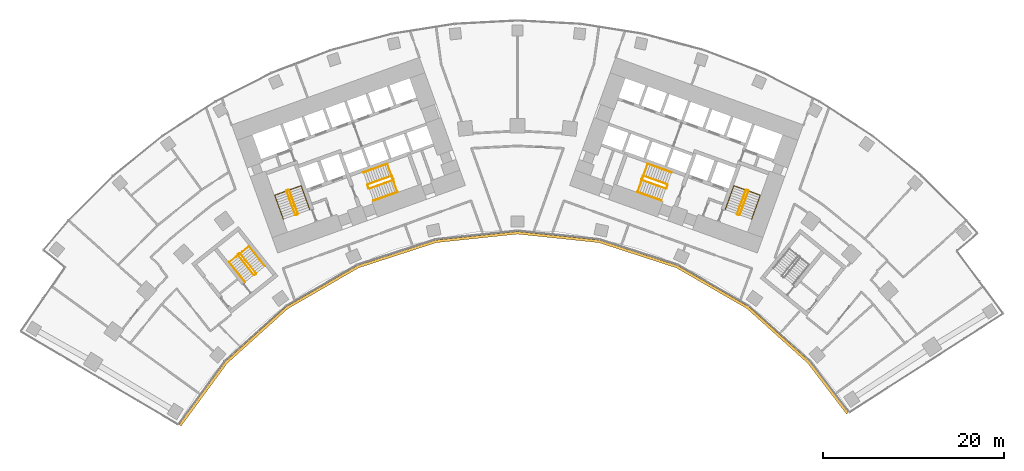
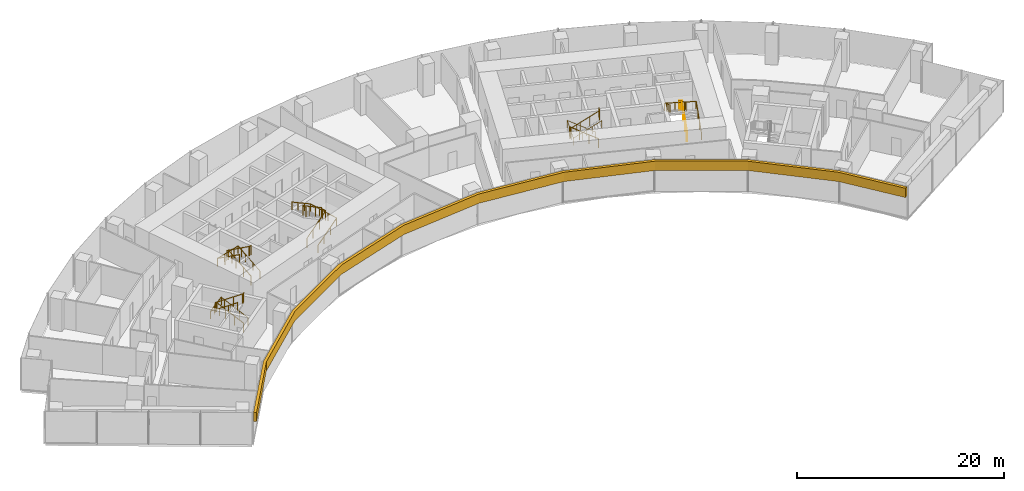
# One storey, part 20 of 21: 15 railings, 1 covering.
"""IFC4 building model written with IfcOpenShell, lengths in metres."""

from ifc_helpers import new_model, si_unit, direction, frame, origin, origin_2d, place, context, subcontext, project, spatial, polyline, circle, outline, extrude, material, layer, layer_set, type_object, element, save


model = new_model("IFC4")

# Units and contexts
model_context = context("Model", 3, precision=1e-05, world=origin(), true_north=direction((0.0, 1.0)))
body_context = subcontext(model_context, "Body", "Model", "MODEL_VIEW")
ifc_project = project(units=[si_unit("LENGTHUNIT", "METRE"), si_unit("AREAUNIT", "SQUARE_METRE"), si_unit("VOLUMEUNIT", "CUBIC_METRE"), si_unit("PLANEANGLEUNIT", "RADIAN"), si_unit("MASSUNIT", "GRAM", prefix="KILO")], contexts=[model_context])

# Site, building, storey
site_placement = place(None, origin())
site = spatial("IfcSite", under=ifc_project, at=site_placement, CompositionType="ELEMENT")
building_placement = place(site_placement, origin())
building = spatial("IfcBuilding", under=site, at=building_placement, Name="Stone Belt Terrace Tower", CompositionType="ELEMENT")
storey_placement = place(building_placement, frame((0.0, 0.0, 49.0)))
storey = spatial("IfcBuildingStorey", under=building, at=storey_placement, Name="L11", CompositionType="ELEMENT", Elevation=49.0)

# Railings
ifc_material_1 = material(Name="Structural steel C345", Category="steel")
railing_type_1 = type_object("IfcRailingType", Name="Stair guard 1100", PredefinedType="GUARDRAIL", material=ifc_material_1)
railing_1_placement = place(storey_placement, frame((-24.2119140625, 45.276123046875, 0.172607421875)))
element("IfcRailing", 1, at=railing_1_placement, inside=storey, type_object=railing_type_1, Name="L11 ST1A stair guard 1", PredefinedType="GUARDRAIL", context=body_context, shape_type="SweptSolid", body=[
    extrude(circle(Radius=0.02392578125, at=origin_2d()), frame((0.0, 0.0, 1.076171875), z_axis=(-0.288228637646, 0.800791768495, 0.525030280985), x_axis=(-0.940908529223, -0.338660803216, 0.0)), (0.0, 0.0, 1.0), 3.289794921875),
    extrude(circle(Radius=0.02392578125, at=origin_2d()), frame((-0.9482421875, 2.634521484375, 2.80322265625), z_axis=(-0.905209821074, 0.424964916, 0.0), x_axis=(-0.424964916, -0.905209821074, 0.0)), (0.0, 0.0, 1.0), 0.070556640625),
    extrude(circle(Radius=0.02392578125, at=origin_2d()), frame((-1.01220703125, 2.66455078125, 2.80322265625), z_axis=(-0.941105063269, -0.338114270461, 0.0), x_axis=(0.338114270461, -0.941105063269, 0.0)), (0.0, 0.0, 1.0), 0.199951171875),
    extrude(circle(Radius=0.02099609375, at=origin_2d()), origin(), (0.0, 0.0, 1.0), 1.052001953125),
    extrude(circle(Radius=0.02099609375, at=origin_2d()), frame((-0.316162109375, 0.878173828125, 0.57568359375)), (0.0, 0.0, 1.0), 1.052001953125),
    extrude(circle(Radius=0.02099609375, at=origin_2d()), frame((-0.632080078125, 1.75634765625, 1.151611328125)), (0.0, 0.0, 1.0), 1.052001953125),
    extrude(circle(Radius=0.02099609375, at=origin_2d()), frame((-0.9482421875, 2.634521484375, 1.727294921875)), (0.0, 0.0, 1.0), 1.052001953125),
    extrude(circle(Radius=0.02099609375, at=origin_2d()), frame((-1.01220703125, 2.66455078125, 1.727294921875)), (0.0, 0.0, 1.0), 1.052001953125),
    extrude(circle(Radius=0.02099609375, at=origin_2d()), frame((-1.200439453125, 2.596923828125, 1.727294921875)), (0.0, 0.0, 1.0), 1.052001953125),
])
railing_2_placement = place(storey_placement, frame((-25.4423828125, 47.80908203125, 2.07275390625)))
element("IfcRailing", 2, at=railing_2_placement, inside=storey, type_object=railing_type_1, Name="L11 ST1A stair guard 2", PredefinedType="GUARDRAIL", context=body_context, shape_type="SweptSolid", body=[
    extrude(circle(Radius=0.02392578125, at=origin_2d()), frame((0.0, 0.0, 1.076171875), z_axis=(0.288228637646, -0.800791768495, 0.525030280985), x_axis=(0.940908529223, 0.338660803216, 0.0)), (0.0, 0.0, 1.0), 3.289794921875),
    extrude(circle(Radius=0.02392578125, at=origin_2d()), frame((0.9482421875, -2.634521484375, 2.80322265625), z_axis=(0.903878284585, -0.427789722475, 0.0), x_axis=(0.427789722475, 0.903878284585, 0.0)), (0.0, 0.0, 1.0), 0.07080078125),
    extrude(circle(Radius=0.02392578125, at=origin_2d()), frame((1.01220703125, -2.664794921875, 2.80322265625), z_axis=(0.940575576748, 0.339584429008, 0.0), x_axis=(-0.339584429008, 0.940575576748, 0.0)), (0.0, 0.0, 1.0), 0.199951171875),
    extrude(circle(Radius=0.02099609375, at=origin_2d()), origin(), (0.0, 0.0, 1.0), 1.052001953125),
    extrude(circle(Radius=0.02099609375, at=origin_2d()), frame((0.316162109375, -0.878173828125, 0.57568359375)), (0.0, 0.0, 1.0), 1.052001953125),
    extrude(circle(Radius=0.02099609375, at=origin_2d()), frame((0.632080078125, -1.75634765625, 1.151611328125)), (0.0, 0.0, 1.0), 1.052001953125),
    extrude(circle(Radius=0.02099609375, at=origin_2d()), frame((0.9482421875, -2.634521484375, 1.727294921875)), (0.0, 0.0, 1.0), 1.052001953125),
    extrude(circle(Radius=0.02099609375, at=origin_2d()), frame((1.01220703125, -2.664794921875, 1.727294921875)), (0.0, 0.0, 1.0), 1.052001953125),
    extrude(circle(Radius=0.02099609375, at=origin_2d()), frame((1.2001953125, -2.596923828125, 1.727294921875)), (0.0, 0.0, 1.0), 1.052001953125),
])
railing_3_placement = place(storey_placement, frame((-16.33837890625, 48.056640625, 0.172607421875)))
element("IfcRailing", 3, at=railing_3_placement, inside=storey, type_object=railing_type_1, Name="L11 ST2A stair guard 1", PredefinedType="GUARDRAIL", context=body_context, shape_type="SweptSolid", body=[
    extrude(circle(Radius=0.02392578125, at=origin_2d()), frame((0.0, 0.0, 1.076171875), z_axis=(0.800808895155, 0.288160591223, 0.52504150989), x_axis=(-0.338583606334, 0.940936311087, 0.0)), (0.0, 0.0, 1.0), 3.289794921875),
    extrude(circle(Radius=0.02392578125, at=origin_2d()), frame((2.634521484375, 0.947998046875, 2.80322265625), z_axis=(0.427789722475, 0.903878284585, 0.0), x_axis=(-0.903878284585, 0.427789722475, 0.0)), (0.0, 0.0, 1.0), 0.07080078125),
    extrude(circle(Radius=0.02392578125, at=origin_2d()), frame((2.664794921875, 1.011962890625, 2.80322265625), z_axis=(-0.338654645739, 0.940910745459, 0.0), x_axis=(-0.940910745459, -0.338654645739, 0.0)), (0.0, 0.0, 1.0), 0.400146484375),
    extrude(circle(Radius=0.02099609375, at=origin_2d()), origin(), (0.0, 0.0, 1.0), 1.052001953125),
    extrude(circle(Radius=0.02099609375, at=origin_2d()), frame((0.878173828125, 0.31591796875, 0.57568359375)), (0.0, 0.0, 1.0), 1.052001953125),
    extrude(circle(Radius=0.02099609375, at=origin_2d()), frame((1.75634765625, 0.632080078125, 1.151611328125)), (0.0, 0.0, 1.0), 1.052001953125),
    extrude(circle(Radius=0.02099609375, at=origin_2d()), frame((2.634521484375, 0.947998046875, 1.727294921875)), (0.0, 0.0, 1.0), 1.052001953125),
    extrude(circle(Radius=0.02099609375, at=origin_2d()), frame((2.664794921875, 1.011962890625, 1.727294921875)), (0.0, 0.0, 1.0), 1.052001953125),
    extrude(circle(Radius=0.02099609375, at=origin_2d()), frame((2.529296875, 1.388427734375, 1.727294921875)), (0.0, 0.0, 1.0), 1.052001953125),
])
railing_4_placement = place(storey_placement, frame((-13.873046875, 49.47509765625, 2.07275390625)))
element("IfcRailing", 4, at=railing_4_placement, inside=storey, type_object=railing_type_1, Name="L11 ST2A stair guard 2", PredefinedType="GUARDRAIL", context=body_context, shape_type="SweptSolid", body=[
    extrude(circle(Radius=0.02392578125, at=origin_2d()), frame((0.0, 0.0, 1.076171875), z_axis=(-0.800808895155, -0.288160591223, 0.52504150989), x_axis=(0.338583606334, -0.940936311087, 0.0)), (0.0, 0.0, 1.0), 3.289794921875),
    extrude(circle(Radius=0.02392578125, at=origin_2d()), frame((-2.634521484375, -0.947998046875, 2.80322265625), z_axis=(-0.427789722475, -0.903878284585, 0.0), x_axis=(0.903878284585, -0.427789722475, 0.0)), (0.0, 0.0, 1.0), 0.07080078125),
    extrude(circle(Radius=0.02392578125, at=origin_2d()), frame((-2.664794921875, -1.011962890625, 2.80322265625), z_axis=(0.338654645739, -0.940910745459, 0.0), x_axis=(0.940910745459, 0.338654645739, 0.0)), (0.0, 0.0, 1.0), 0.400146484375),
    extrude(circle(Radius=0.02099609375, at=origin_2d()), origin(), (0.0, 0.0, 1.0), 1.052001953125),
    extrude(circle(Radius=0.02099609375, at=origin_2d()), frame((-0.878173828125, -0.31591796875, 0.57568359375)), (0.0, 0.0, 1.0), 1.052001953125),
    extrude(circle(Radius=0.02099609375, at=origin_2d()), frame((-1.75634765625, -0.632080078125, 1.151611328125)), (0.0, 0.0, 1.0), 1.052001953125),
    extrude(circle(Radius=0.02099609375, at=origin_2d()), frame((-2.634521484375, -0.947998046875, 1.727294921875)), (0.0, 0.0, 1.0), 1.052001953125),
    extrude(circle(Radius=0.02099609375, at=origin_2d()), frame((-2.664794921875, -1.011962890625, 1.727294921875)), (0.0, 0.0, 1.0), 1.052001953125),
    extrude(circle(Radius=0.02099609375, at=origin_2d()), frame((-2.529296875, -1.388427734375, 1.727294921875)), (0.0, 0.0, 1.0), 1.052001953125),
])
railing_5_placement = place(storey_placement, frame((24.494140625, 45.174560546875, 0.172607421875)))
element("IfcRailing", 5, at=railing_5_placement, inside=storey, type_object=railing_type_1, Name="L11 ST1B stair guard 1", PredefinedType="GUARDRAIL", context=body_context, shape_type="SweptSolid", body=[
    extrude(circle(Radius=0.02392578125, at=origin_2d()), frame((0.0, 0.0, 1.076171875), z_axis=(0.288228637646, 0.800791768495, 0.525030280985), x_axis=(-0.940908529223, 0.338660803216, 0.0)), (0.0, 0.0, 1.0), 3.289794921875),
    extrude(circle(Radius=0.02392578125, at=origin_2d()), frame((0.9482421875, 2.634521484375, 2.80322265625), z_axis=(-0.424964916, 0.905209821074, 0.0), x_axis=(-0.905209821074, -0.424964916, 0.0)), (0.0, 0.0, 1.0), 0.070556640625),
    extrude(circle(Radius=0.02392578125, at=origin_2d()), frame((0.918212890625, 2.698486328125, 2.80322265625), z_axis=(-0.941105063269, 0.338114270461, 0.0), x_axis=(-0.338114270461, -0.941105063269, 0.0)), (0.0, 0.0, 1.0), 0.199951171875),
    extrude(circle(Radius=0.02099609375, at=origin_2d()), origin(), (0.0, 0.0, 1.0), 1.052001953125),
    extrude(circle(Radius=0.02099609375, at=origin_2d()), frame((0.316162109375, 0.878173828125, 0.57568359375)), (0.0, 0.0, 1.0), 1.052001953125),
    extrude(circle(Radius=0.02099609375, at=origin_2d()), frame((0.632080078125, 1.75634765625, 1.151611328125)), (0.0, 0.0, 1.0), 1.052001953125),
    extrude(circle(Radius=0.02099609375, at=origin_2d()), frame((0.9482421875, 2.634521484375, 1.727294921875)), (0.0, 0.0, 1.0), 1.052001953125),
    extrude(circle(Radius=0.02099609375, at=origin_2d()), frame((0.918212890625, 2.698486328125, 1.727294921875)), (0.0, 0.0, 1.0), 1.052001953125),
    extrude(circle(Radius=0.02099609375, at=origin_2d()), frame((0.72998046875, 2.76611328125, 1.727294921875)), (0.0, 0.0, 1.0), 1.052001953125),
])
railing_6_placement = place(storey_placement, frame((25.16015625, 47.91064453125, 2.07275390625)))
element("IfcRailing", 6, at=railing_6_placement, inside=storey, type_object=railing_type_1, Name="L11 ST1B stair guard 2", PredefinedType="GUARDRAIL", context=body_context, shape_type="SweptSolid", body=[
    extrude(circle(Radius=0.02392578125, at=origin_2d()), frame((0.0, 0.0, 1.076171875), z_axis=(-0.288228637646, -0.800791768495, 0.525030280985), x_axis=(0.940908529223, -0.338660803216, 0.0)), (0.0, 0.0, 1.0), 3.289794921875),
    extrude(circle(Radius=0.02392578125, at=origin_2d()), frame((-0.9482421875, -2.634521484375, 2.80322265625), z_axis=(0.427789722475, -0.903878284585, 0.0), x_axis=(0.903878284585, 0.427789722475, 0.0)), (0.0, 0.0, 1.0), 0.07080078125),
    extrude(circle(Radius=0.02392578125, at=origin_2d()), frame((-0.91796875, -2.698486328125, 2.80322265625), z_axis=(0.940575576748, -0.339584429008, 0.0), x_axis=(0.339584429008, 0.940575576748, 0.0)), (0.0, 0.0, 1.0), 0.199951171875),
    extrude(circle(Radius=0.02099609375, at=origin_2d()), origin(), (0.0, 0.0, 1.0), 1.052001953125),
    extrude(circle(Radius=0.02099609375, at=origin_2d()), frame((-0.316162109375, -0.878173828125, 0.57568359375)), (0.0, 0.0, 1.0), 1.052001953125),
    extrude(circle(Radius=0.02099609375, at=origin_2d()), frame((-0.632080078125, -1.75634765625, 1.151611328125)), (0.0, 0.0, 1.0), 1.052001953125),
    extrude(circle(Radius=0.02099609375, at=origin_2d()), frame((-0.9482421875, -2.634521484375, 1.727294921875)), (0.0, 0.0, 1.0), 1.052001953125),
    extrude(circle(Radius=0.02099609375, at=origin_2d()), frame((-0.91796875, -2.698486328125, 1.727294921875)), (0.0, 0.0, 1.0), 1.052001953125),
    extrude(circle(Radius=0.02099609375, at=origin_2d()), frame((-0.72998046875, -2.766357421875, 1.727294921875)), (0.0, 0.0, 1.0), 1.052001953125),
])
railing_7_placement = place(storey_placement, frame((16.507568359375, 48.527099609375, 0.172607421875)))
element("IfcRailing", 7, at=railing_7_placement, inside=storey, type_object=railing_type_1, Name="L11 ST2B stair guard 1", PredefinedType="GUARDRAIL", context=body_context, shape_type="SweptSolid", body=[
    extrude(circle(Radius=0.02392578125, at=origin_2d()), frame((0.0, 0.0, 1.076171875), z_axis=(-0.800808895155, 0.288160591223, 0.52504150989), x_axis=(-0.338583606334, -0.940936311087, 0.0)), (0.0, 0.0, 1.0), 3.289794921875),
    extrude(circle(Radius=0.02392578125, at=origin_2d()), frame((-2.634521484375, 0.947998046875, 2.80322265625), z_axis=(-0.905209821074, -0.424964916, 0.0), x_axis=(0.424964916, -0.905209821074, 0.0)), (0.0, 0.0, 1.0), 0.070556640625),
    extrude(circle(Radius=0.02392578125, at=origin_2d()), frame((-2.698486328125, 0.91796875, 2.80322265625), z_axis=(-0.338654645739, -0.940910745459, 0.0), x_axis=(0.940910745459, -0.338654645739, 0.0)), (0.0, 0.0, 1.0), 0.400146484375),
    extrude(circle(Radius=0.02099609375, at=origin_2d()), origin(), (0.0, 0.0, 1.0), 1.052001953125),
    extrude(circle(Radius=0.02099609375, at=origin_2d()), frame((-0.878173828125, 0.31591796875, 0.57568359375)), (0.0, 0.0, 1.0), 1.052001953125),
    extrude(circle(Radius=0.02099609375, at=origin_2d()), frame((-1.75634765625, 0.632080078125, 1.151611328125)), (0.0, 0.0, 1.0), 1.052001953125),
    extrude(circle(Radius=0.02099609375, at=origin_2d()), frame((-2.634521484375, 0.947998046875, 1.727294921875)), (0.0, 0.0, 1.0), 1.052001953125),
    extrude(circle(Radius=0.02099609375, at=origin_2d()), frame((-2.698486328125, 0.91796875, 1.727294921875)), (0.0, 0.0, 1.0), 1.052001953125),
    extrude(circle(Radius=0.02099609375, at=origin_2d()), frame((-2.833984375, 0.54150390625, 1.727294921875)), (0.0, 0.0, 1.0), 1.052001953125),
])
railing_8_placement = place(storey_placement, frame((13.703857421875, 49.004638671875, 2.07275390625)))
element("IfcRailing", 8, at=railing_8_placement, inside=storey, type_object=railing_type_1, Name="L11 ST2B stair guard 2", PredefinedType="GUARDRAIL", context=body_context, shape_type="SweptSolid", body=[
    extrude(circle(Radius=0.02392578125, at=origin_2d()), frame((0.0, 0.0, 1.076171875), z_axis=(0.800808895155, -0.288160591223, 0.52504150989), x_axis=(0.338583606334, 0.940936311087, 0.0)), (0.0, 0.0, 1.0), 3.289794921875),
    extrude(circle(Radius=0.02392578125, at=origin_2d()), frame((2.634521484375, -0.947998046875, 2.80322265625), z_axis=(0.905209821074, 0.424964916, 0.0), x_axis=(-0.424964916, 0.905209821074, 0.0)), (0.0, 0.0, 1.0), 0.070556640625),
    extrude(circle(Radius=0.02392578125, at=origin_2d()), frame((2.698486328125, -0.91796875, 2.80322265625), z_axis=(0.338654645739, 0.940910745459, 0.0), x_axis=(-0.940910745459, 0.338654645739, 0.0)), (0.0, 0.0, 1.0), 0.400146484375),
    extrude(circle(Radius=0.02099609375, at=origin_2d()), origin(), (0.0, 0.0, 1.0), 1.052001953125),
    extrude(circle(Radius=0.02099609375, at=origin_2d()), frame((0.878173828125, -0.31591796875, 0.57568359375)), (0.0, 0.0, 1.0), 1.052001953125),
    extrude(circle(Radius=0.02099609375, at=origin_2d()), frame((1.75634765625, -0.632080078125, 1.151611328125)), (0.0, 0.0, 1.0), 1.052001953125),
    extrude(circle(Radius=0.02099609375, at=origin_2d()), frame((2.634521484375, -0.947998046875, 1.727294921875)), (0.0, 0.0, 1.0), 1.052001953125),
    extrude(circle(Radius=0.02099609375, at=origin_2d()), frame((2.698486328125, -0.91796875, 1.727294921875)), (0.0, 0.0, 1.0), 1.052001953125),
    extrude(circle(Radius=0.02099609375, at=origin_2d()), frame((2.833984375, -0.54150390625, 1.727294921875)), (0.0, 0.0, 1.0), 1.052001953125),
])
railing_9_placement = place(storey_placement, frame((-28.814208984375, 38.734619140625, 0.172607421875)))
element("IfcRailing", 9, at=railing_9_placement, inside=storey, type_object=railing_type_1, Name="L11 ST3A stair guard 1", PredefinedType="GUARDRAIL", context=body_context, shape_type="SweptSolid", body=[
    extrude(circle(Radius=0.02392578125, at=origin_2d()), frame((0.0, 0.0, 1.076171875), z_axis=(-0.530306321799, 0.665665785969, 0.525037395288), x_axis=(-0.782143211408, -0.623098705543, 0.0)), (0.0, 0.0, 1.0), 3.289794921875),
    extrude(circle(Radius=0.02392578125, at=origin_2d()), frame((-1.74462890625, 2.18994140625, 2.80322265625), z_axis=(-0.993883734674, 0.110431526075, 0.0), x_axis=(-0.110431526075, -0.993883734674, 0.0)), (0.0, 0.0, 1.0), 0.07080078125),
    extrude(circle(Radius=0.02392578125, at=origin_2d()), frame((-1.81494140625, 2.19775390625, 2.80322265625), z_axis=(-0.782533463299, -0.622608527742, 0.0), x_axis=(0.622608527742, -0.782533463299, 0.0)), (0.0, 0.0, 1.0), 0.199951171875),
    extrude(circle(Radius=0.02099609375, at=origin_2d()), origin(), (0.0, 0.0, 1.0), 1.052001953125),
    extrude(circle(Radius=0.02099609375, at=origin_2d()), frame((-0.58154296875, 0.72998046875, 0.57568359375)), (0.0, 0.0, 1.0), 1.052001953125),
    extrude(circle(Radius=0.02099609375, at=origin_2d()), frame((-1.1630859375, 1.4599609375, 1.151611328125)), (0.0, 0.0, 1.0), 1.052001953125),
    extrude(circle(Radius=0.02099609375, at=origin_2d()), frame((-1.74462890625, 2.18994140625, 1.727294921875)), (0.0, 0.0, 1.0), 1.052001953125),
    extrude(circle(Radius=0.02099609375, at=origin_2d()), frame((-1.81494140625, 2.19775390625, 1.727294921875)), (0.0, 0.0, 1.0), 1.052001953125),
    extrude(circle(Radius=0.02099609375, at=origin_2d()), frame((-1.971435546875, 2.0732421875, 1.727294921875)), (0.0, 0.0, 1.0), 1.052001953125),
])
railing_10_placement = place(storey_placement, frame((-30.793701171875, 40.737548828125, 2.07275390625)))
element("IfcRailing", 10, at=railing_10_placement, inside=storey, type_object=railing_type_1, Name="L11 ST3A stair guard 2", PredefinedType="GUARDRAIL", context=body_context, shape_type="SweptSolid", body=[
    extrude(circle(Radius=0.02392578125, at=origin_2d()), frame((0.0, 0.0, 1.076171875), z_axis=(0.530359659125, -0.665639588968, 0.525016732659), x_axis=(0.782100716982, 0.62315204284, 0.0)), (0.0, 0.0, 1.0), 3.2900390625),
    extrude(circle(Radius=0.02392578125, at=origin_2d()), frame((1.744873046875, -2.18994140625, 2.80322265625), z_axis=(0.993499272973, -0.113838458361, 0.0), x_axis=(0.113838458361, 0.993499272973, 0.0)), (0.0, 0.0, 1.0), 0.07080078125),
    extrude(circle(Radius=0.02392578125, at=origin_2d()), frame((1.815185546875, -2.197998046875, 2.80322265625), z_axis=(0.781464082609, 0.623950228458, 0.0), x_axis=(-0.623950228458, 0.781464082609, 0.0)), (0.0, 0.0, 1.0), 0.199951171875),
    extrude(circle(Radius=0.02099609375, at=origin_2d()), origin(), (0.0, 0.0, 1.0), 1.052001953125),
    extrude(circle(Radius=0.02099609375, at=origin_2d()), frame((0.58154296875, -0.72998046875, 0.57568359375)), (0.0, 0.0, 1.0), 1.052001953125),
    extrude(circle(Radius=0.02099609375, at=origin_2d()), frame((1.163330078125, -1.4599609375, 1.151611328125)), (0.0, 0.0, 1.0), 1.052001953125),
    extrude(circle(Radius=0.02099609375, at=origin_2d()), frame((1.744873046875, -2.18994140625, 1.727294921875)), (0.0, 0.0, 1.0), 1.052001953125),
    extrude(circle(Radius=0.02099609375, at=origin_2d()), frame((1.815185546875, -2.197998046875, 1.727294921875)), (0.0, 0.0, 1.0), 1.052001953125),
    extrude(circle(Radius=0.02099609375, at=origin_2d()), frame((1.971435546875, -2.0732421875, 1.727294921875)), (0.0, 0.0, 1.0), 1.052001953125),
])
railing_type_2 = type_object("IfcRailingType", Name="Stair handrail 900", PredefinedType="HANDRAIL", material=ifc_material_1)
railing_11_placement = place(storey_placement, frame((-22.894775390625, 45.750244140625, 0.172607421875)))
element("IfcRailing", 11, at=railing_11_placement, inside=storey, type_object=railing_type_2, Name="L11 ST1A stair handrail 1", PredefinedType="HANDRAIL", context=body_context, shape_type="SweptSolid", body=[
    extrude(circle(Radius=0.02392578125, at=origin_2d()), frame((0.0, 0.0, 0.8759765625), z_axis=(-0.288160591223, 0.800808895155, 0.52504150989), x_axis=(-0.940936311087, -0.338583606334, 0.0)), (0.0, 0.0, 1.0), 3.289794921875),
    extrude(circle(Radius=0.02392578125, at=origin_2d()), frame((-0.947998046875, 2.634521484375, 2.60302734375), z_axis=(-0.939460408074, -0.338105101667, 0.055669398135), x_axis=(0.338630230244, -0.940919532779, 0.0)), (0.0, 0.0, 1.0), 3.10498046875),
    extrude(circle(Radius=0.02392578125, at=origin_2d()), frame((-3.864990234375, 1.584716796875, 2.77587890625), z_axis=(0.288228637646, -0.800791768495, 0.525030280985), x_axis=(0.940908529223, 0.338660803216, 0.0)), (0.0, 0.0, 1.0), 3.289794921875),
    extrude(circle(Radius=0.02099609375, at=origin_2d()), origin(), (0.0, 0.0, 1.0), 0.851806640625),
    extrude(circle(Radius=0.02099609375, at=origin_2d()), frame((-0.31591796875, 0.878173828125, 0.57568359375)), (0.0, 0.0, 1.0), 0.851806640625),
    extrude(circle(Radius=0.02099609375, at=origin_2d()), frame((-0.632080078125, 1.75634765625, 1.151611328125)), (0.0, 0.0, 1.0), 0.851806640625),
    extrude(circle(Radius=0.02099609375, at=origin_2d()), frame((-0.947998046875, 2.634521484375, 1.727294921875)), (0.0, 0.0, 1.0), 0.851806640625),
    extrude(circle(Radius=0.02099609375, at=origin_2d()), frame((-1.92041015625, 2.28466796875, 1.784912109375)), (0.0, 0.0, 1.0), 0.851806640625),
    extrude(circle(Radius=0.02099609375, at=origin_2d()), frame((-2.892578125, 1.9345703125, 1.842529296875)), (0.0, 0.0, 1.0), 0.851806640625),
    extrude(circle(Radius=0.02099609375, at=origin_2d()), frame((-3.864990234375, 1.584716796875, 1.900146484375)), (0.0, 0.0, 1.0), 0.851806640625),
    extrude(circle(Radius=0.02099609375, at=origin_2d()), frame((-3.548828125, 0.70654296875, 2.475830078125)), (0.0, 0.0, 1.0), 0.851806640625),
    extrude(circle(Radius=0.02099609375, at=origin_2d()), frame((-3.23291015625, -0.171630859375, 3.0517578125)), (0.0, 0.0, 1.0), 0.851806640625),
    extrude(circle(Radius=0.02099609375, at=origin_2d()), frame((-2.916748046875, -1.0498046875, 3.62744140625)), (0.0, 0.0, 1.0), 0.851806640625),
])
railing_12_placement = place(storey_placement, frame((-15.8642578125, 46.7392578125, 0.172607421875)))
element("IfcRailing", 12, at=railing_12_placement, inside=storey, type_object=railing_type_2, Name="L11 ST2A stair handrail 1", PredefinedType="HANDRAIL", context=body_context, shape_type="SweptSolid", body=[
    extrude(circle(Radius=0.02392578125, at=origin_2d()), frame((0.0, 0.0, 0.8759765625), z_axis=(0.800791768495, 0.288228637646, 0.525030280985), x_axis=(-0.338660803216, 0.940908529223, 0.0)), (0.0, 0.0, 1.0), 3.289794921875),
    extrude(circle(Radius=0.02392578125, at=origin_2d()), frame((2.634521484375, 0.9482421875, 2.60302734375), z_axis=(-0.338158948057, 0.939634149308, 0.052308615955), x_axis=(-0.940922302781, -0.338622533404, 0.0)), (0.0, 0.0, 1.0), 3.304443359375),
    extrude(circle(Radius=0.02392578125, at=origin_2d()), frame((1.51708984375, 4.05322265625, 2.77587890625), z_axis=(-0.800791768495, -0.288228637646, 0.525030280985), x_axis=(0.338660803216, -0.940908529223, 0.0)), (0.0, 0.0, 1.0), 3.289794921875),
    extrude(circle(Radius=0.02099609375, at=origin_2d()), origin(), (0.0, 0.0, 1.0), 0.851806640625),
    extrude(circle(Radius=0.02099609375, at=origin_2d()), frame((0.878173828125, 0.316162109375, 0.57568359375)), (0.0, 0.0, 1.0), 0.851806640625),
    extrude(circle(Radius=0.02099609375, at=origin_2d()), frame((1.75634765625, 0.632080078125, 1.151611328125)), (0.0, 0.0, 1.0), 0.851806640625),
    extrude(circle(Radius=0.02099609375, at=origin_2d()), frame((2.634521484375, 0.9482421875, 1.727294921875)), (0.0, 0.0, 1.0), 0.851806640625),
    extrude(circle(Radius=0.02099609375, at=origin_2d()), frame((2.261962890625, 1.983154296875, 1.784912109375)), (0.0, 0.0, 1.0), 0.851806640625),
    extrude(circle(Radius=0.02099609375, at=origin_2d()), frame((1.8896484375, 3.018310546875, 1.842529296875)), (0.0, 0.0, 1.0), 0.851806640625),
    extrude(circle(Radius=0.02099609375, at=origin_2d()), frame((1.51708984375, 4.05322265625, 1.900146484375)), (0.0, 0.0, 1.0), 0.851806640625),
    extrude(circle(Radius=0.02099609375, at=origin_2d()), frame((0.638916015625, 3.737060546875, 2.475830078125)), (0.0, 0.0, 1.0), 0.851806640625),
    extrude(circle(Radius=0.02099609375, at=origin_2d()), frame((-0.2392578125, 3.421142578125, 3.0517578125)), (0.0, 0.0, 1.0), 0.851806640625),
    extrude(circle(Radius=0.02099609375, at=origin_2d()), frame((-1.117431640625, 3.10498046875, 3.62744140625)), (0.0, 0.0, 1.0), 0.851806640625),
])
railing_13_placement = place(storey_placement, frame((25.8115234375, 44.700439453125, 0.172607421875)))
element("IfcRailing", 13, at=railing_13_placement, inside=storey, type_object=railing_type_2, Name="L11 ST1B stair handrail 1", PredefinedType="HANDRAIL", context=body_context, shape_type="SweptSolid", body=[
    extrude(circle(Radius=0.02392578125, at=origin_2d()), frame((0.0, 0.0, 0.8759765625), z_axis=(0.288228637646, 0.800791768495, 0.525030280985), x_axis=(-0.940908529223, 0.338660803216, 0.0)), (0.0, 0.0, 1.0), 3.289794921875),
    extrude(circle(Radius=0.02392578125, at=origin_2d()), frame((0.9482421875, 2.634521484375, 2.60302734375), z_axis=(-0.939460408074, 0.338105101667, 0.055669398135), x_axis=(-0.338630230244, -0.940919532779, 0.0)), (0.0, 0.0, 1.0), 3.10498046875),
    extrude(circle(Radius=0.02392578125, at=origin_2d()), frame((-1.96875, 3.684326171875, 2.77587890625), z_axis=(-0.288160591223, -0.800808895155, 0.52504150989), x_axis=(0.940936311087, -0.338583606334, 0.0)), (0.0, 0.0, 1.0), 3.289794921875),
    extrude(circle(Radius=0.02099609375, at=origin_2d()), origin(), (0.0, 0.0, 1.0), 0.851806640625),
    extrude(circle(Radius=0.02099609375, at=origin_2d()), frame((0.316162109375, 0.878173828125, 0.57568359375)), (0.0, 0.0, 1.0), 0.851806640625),
    extrude(circle(Radius=0.02099609375, at=origin_2d()), frame((0.632080078125, 1.75634765625, 1.151611328125)), (0.0, 0.0, 1.0), 0.851806640625),
    extrude(circle(Radius=0.02099609375, at=origin_2d()), frame((0.9482421875, 2.634521484375, 1.727294921875)), (0.0, 0.0, 1.0), 0.851806640625),
    extrude(circle(Radius=0.02099609375, at=origin_2d()), frame((-0.024169921875, 2.984375, 1.784912109375)), (0.0, 0.0, 1.0), 0.851806640625),
    extrude(circle(Radius=0.02099609375, at=origin_2d()), frame((-0.996337890625, 3.33447265625, 1.842529296875)), (0.0, 0.0, 1.0), 0.851806640625),
    extrude(circle(Radius=0.02099609375, at=origin_2d()), frame((-1.96875, 3.684326171875, 1.900146484375)), (0.0, 0.0, 1.0), 0.851806640625),
    extrude(circle(Radius=0.02099609375, at=origin_2d()), frame((-2.28466796875, 2.80615234375, 2.475830078125)), (0.0, 0.0, 1.0), 0.851806640625),
    extrude(circle(Radius=0.02099609375, at=origin_2d()), frame((-2.600830078125, 1.927978515625, 3.0517578125)), (0.0, 0.0, 1.0), 0.851806640625),
    extrude(circle(Radius=0.02099609375, at=origin_2d()), frame((-2.916748046875, 1.0498046875, 3.62744140625)), (0.0, 0.0, 1.0), 0.851806640625),
])
railing_14_placement = place(storey_placement, frame((16.981689453125, 49.84423828125, 0.172607421875)))
element("IfcRailing", 14, at=railing_14_placement, inside=storey, type_object=railing_type_2, Name="L11 ST2B stair handrail 1", PredefinedType="HANDRAIL", context=body_context, shape_type="SweptSolid", body=[
    extrude(circle(Radius=0.02392578125, at=origin_2d()), frame((0.0, 0.0, 0.8759765625), z_axis=(-0.800791768495, 0.288228637646, 0.525030280985), x_axis=(-0.338660803216, -0.940908529223, 0.0)), (0.0, 0.0, 1.0), 3.289794921875),
    extrude(circle(Radius=0.02392578125, at=origin_2d()), frame((-2.634521484375, 0.9482421875, 2.60302734375), z_axis=(-0.338158948057, -0.939634149308, 0.052308615955), x_axis=(0.940922302781, -0.338622533404, 0.0)), (0.0, 0.0, 1.0), 3.304443359375),
    extrude(circle(Radius=0.02392578125, at=origin_2d()), frame((-3.751953125, -2.15673828125, 2.77587890625), z_axis=(0.800791768495, -0.288228637646, 0.525030280985), x_axis=(0.338660803216, 0.940908529223, 0.0)), (0.0, 0.0, 1.0), 3.289794921875),
    extrude(circle(Radius=0.02099609375, at=origin_2d()), origin(), (0.0, 0.0, 1.0), 0.851806640625),
    extrude(circle(Radius=0.02099609375, at=origin_2d()), frame((-0.878173828125, 0.316162109375, 0.57568359375)), (0.0, 0.0, 1.0), 0.851806640625),
    extrude(circle(Radius=0.02099609375, at=origin_2d()), frame((-1.75634765625, 0.632080078125, 1.151611328125)), (0.0, 0.0, 1.0), 0.851806640625),
    extrude(circle(Radius=0.02099609375, at=origin_2d()), frame((-2.634521484375, 0.9482421875, 1.727294921875)), (0.0, 0.0, 1.0), 0.851806640625),
    extrude(circle(Radius=0.02099609375, at=origin_2d()), frame((-3.007080078125, -0.086669921875, 1.784912109375)), (0.0, 0.0, 1.0), 0.851806640625),
    extrude(circle(Radius=0.02099609375, at=origin_2d()), frame((-3.37939453125, -1.121826171875, 1.842529296875)), (0.0, 0.0, 1.0), 0.851806640625),
    extrude(circle(Radius=0.02099609375, at=origin_2d()), frame((-3.751953125, -2.15673828125, 1.900146484375)), (0.0, 0.0, 1.0), 0.851806640625),
    extrude(circle(Radius=0.02099609375, at=origin_2d()), frame((-2.873779296875, -2.472900390625, 2.475830078125)), (0.0, 0.0, 1.0), 0.851806640625),
    extrude(circle(Radius=0.02099609375, at=origin_2d()), frame((-1.99560546875, -2.788818359375, 3.0517578125)), (0.0, 0.0, 1.0), 0.851806640625),
    extrude(circle(Radius=0.02099609375, at=origin_2d()), frame((-1.117431640625, -3.10498046875, 3.62744140625)), (0.0, 0.0, 1.0), 0.851806640625),
])
railing_15_placement = place(storey_placement, frame((-27.836669921875, 39.513427734375, 0.172607421875)))
element("IfcRailing", 15, at=railing_15_placement, inside=storey, type_object=railing_type_2, Name="L11 ST3A stair handrail 1", PredefinedType="HANDRAIL", context=body_context, shape_type="SweptSolid", body=[
    extrude(circle(Radius=0.02392578125, at=origin_2d()), frame((0.0, 0.0, 0.8759765625), z_axis=(-0.530306321799, 0.665665785969, 0.525037395288), x_axis=(-0.782143211408, -0.623098705543, 0.0)), (0.0, 0.0, 1.0), 3.289794921875),
    extrude(circle(Radius=0.02392578125, at=origin_2d()), frame((-1.74462890625, 2.18994140625, 2.60302734375), z_axis=(-0.78065703189, -0.621914732429, 0.061617076765), x_axis=(0.623098705543, -0.782143211408, 0.0)), (0.0, 0.0, 1.0), 2.80517578125),
    extrude(circle(Radius=0.02392578125, at=origin_2d()), frame((-3.9345703125, 0.4453125, 2.77587890625), z_axis=(0.530306321799, -0.665665785969, 0.525037395288), x_axis=(0.782143211408, 0.623098705543, 0.0)), (0.0, 0.0, 1.0), 3.289794921875),
    extrude(circle(Radius=0.02099609375, at=origin_2d()), origin(), (0.0, 0.0, 1.0), 0.851806640625),
    extrude(circle(Radius=0.02099609375, at=origin_2d()), frame((-0.58154296875, 0.72998046875, 0.57568359375)), (0.0, 0.0, 1.0), 0.851806640625),
    extrude(circle(Radius=0.02099609375, at=origin_2d()), frame((-1.1630859375, 1.4599609375, 1.151611328125)), (0.0, 0.0, 1.0), 0.851806640625),
    extrude(circle(Radius=0.02099609375, at=origin_2d()), frame((-1.74462890625, 2.18994140625, 1.727294921875)), (0.0, 0.0, 1.0), 0.851806640625),
    extrude(circle(Radius=0.02099609375, at=origin_2d()), frame((-2.474609375, 1.6083984375, 1.784912109375)), (0.0, 0.0, 1.0), 0.851806640625),
    extrude(circle(Radius=0.02099609375, at=origin_2d()), frame((-3.20458984375, 1.02685546875, 1.842529296875)), (0.0, 0.0, 1.0), 0.851806640625),
    extrude(circle(Radius=0.02099609375, at=origin_2d()), frame((-3.9345703125, 0.4453125, 1.900146484375)), (0.0, 0.0, 1.0), 0.851806640625),
    extrude(circle(Radius=0.02099609375, at=origin_2d()), frame((-3.35302734375, -0.28466796875, 2.475830078125)), (0.0, 0.0, 1.0), 0.851806640625),
    extrude(circle(Radius=0.02099609375, at=origin_2d()), frame((-2.771484375, -1.0146484375, 3.0517578125)), (0.0, 0.0, 1.0), 0.851806640625),
    extrude(circle(Radius=0.02099609375, at=origin_2d()), frame((-2.18994140625, -1.74462890625, 3.62744140625)), (0.0, 0.0, 1.0), 0.851806640625),
])

# Covering
ifc_material_2 = material(Name="Terracotta coloured glazed ceramic", Category="masonry")
ifc_layer = layer(ifc_material_2, 0.300048828125)
ifc_layer_set = layer_set([ifc_layer], Name="Terracotta spandrel band 300 x 1100")
covering_type = type_object("IfcCoveringType", Name="Terracotta spandrel band 300 x 1100", PredefinedType="CLADDING", material=ifc_layer_set)
covering_placement = place(storey_placement, frame((0.0, 0.0, 2.699951171875)))
element("IfcCovering", 16, at=covering_placement, inside=storey, type_object=covering_type, Name="BAND L11", PredefinedType="CLADDING", context=body_context, shape_type="SweptSolid", body=[
    extrude(outline(polyline([(-37.3134765625, 22.068115234375), (-32.215087890625, 29.006103515625), (-25.47998046875, 35.0703125), (-17.631591796875, 39.6015625), (-9.0126953125, 42.40185546875), (0.0, 43.34912109375), (9.0126953125, 42.40185546875), (17.631591796875, 39.6015625), (25.47998046875, 35.0703125), (32.216064453125, 29.005126953125), (36.48486328125, 23.412109375), (36.246337890625, 23.230224609375), (31.99462890625, 28.80078125), (25.302734375, 34.826171875), (17.509033203125, 39.325927734375), (8.9501953125, 42.10693359375), (0.0, 43.047607421875), (-8.9501953125, 42.10693359375), (-17.509033203125, 39.325927734375), (-25.302734375, 34.826171875), (-31.991455078125, 28.8037109375), (-37.071533203125, 21.890380859375), (-37.3134765625, 22.068115234375)])), origin(), (0.0, 0.0, 1.0), 1.10009765625),
])

save(model, "model.ifc")
